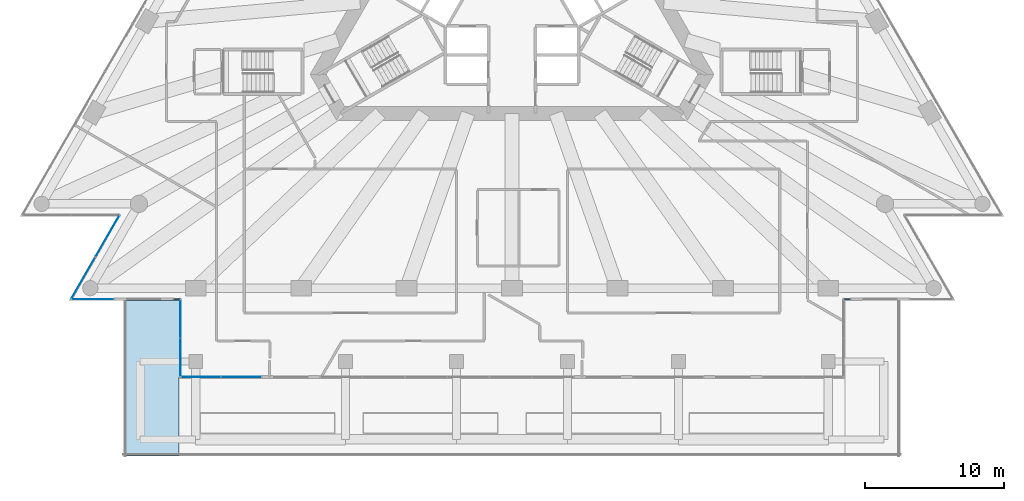
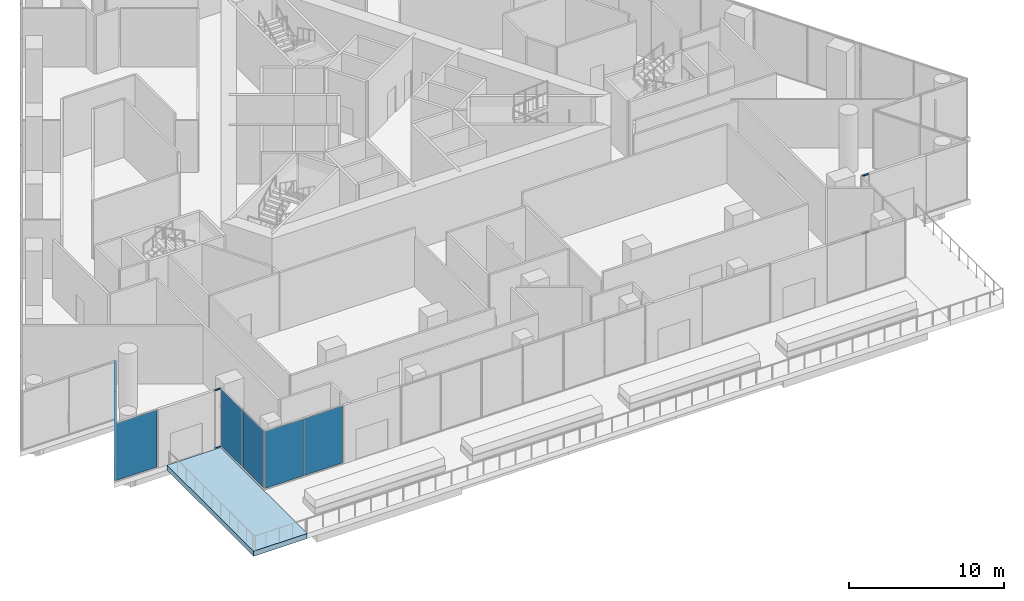
# One storey, part 20 of 32: 7 plates, 4 members, 1 slab, 6 elements without a shape of their own.
"""IFC4 building model written with IfcOpenShell, lengths in metres."""

from ifc_helpers import new_model, si_unit, direction, frame, origin, origin_2d, place, context, subcontext, project, spatial, polyline, rectangle, outline, extrude, material, layer, layer_set, layer_usage, material_profile, profile_set, type_object, element, aggregate, save


model = new_model("IFC4")

# Units and contexts
model_context = context("Model", 3, precision=1e-05, world=origin(), true_north=direction((0.0, 1.0)))
body_context = subcontext(model_context, "Body", "Model", "MODEL_VIEW")
ifc_project = project(units=[si_unit("LENGTHUNIT", "METRE"), si_unit("AREAUNIT", "SQUARE_METRE"), si_unit("VOLUMEUNIT", "CUBIC_METRE"), si_unit("PLANEANGLEUNIT", "RADIAN"), si_unit("MASSUNIT", "GRAM", prefix="KILO")], contexts=[model_context])

# Site, building, storey
site_placement = place(None, origin())
site = spatial("IfcSite", under=ifc_project, at=site_placement, CompositionType="ELEMENT")
building_placement = place(site_placement, origin())
building = spatial("IfcBuilding", under=site, at=building_placement, Name="Triada Interchange Tower", CompositionType="ELEMENT")
storey_placement = place(building_placement, frame((0.0, 0.0, 25.300048828125)))
storey = spatial("IfcBuildingStorey", under=building, at=storey_placement, Name="L04", CompositionType="ELEMENT", Elevation=25.300048828125)

# Curtain wall, members
ifc_material_1 = material(Name="Aluminium framed glazing", Category="aluminium")
ifc_layer_1 = layer(ifc_material_1, 0.199951171875)
ifc_layer_set_1 = layer_set([ifc_layer_1], Name="Curtain wall Winter garden glazing")
curtain_wall_type = type_object("IfcCurtainWallType", Name="Curtain wall Winter garden glazing", PredefinedType="NOTDEFINED", material=ifc_layer_set_1)
curtain_wall_1_placement = place(storey_placement, origin())
curtain_wall_1 = element("IfcCurtainWall", 1, at=curtain_wall_1_placement, inside=storey, type_object=curtain_wall_type, Name="Winter garden glazing CW008 L04", PredefinedType="NOTDEFINED")
ifc_material_2 = material(Name="Aluminium", Category="aluminium")
ifc_material_profile = material_profile(ifc_material_2, rectangle(XDim=0.10009765625, YDim=0.050048828125, at=origin_2d()), Name="Aluminium transom")
ifc_profile_set = profile_set([ifc_material_profile], Name="Aluminium")
member_type = type_object("IfcMemberType", Name="Transom Winter garden glazing 100x50", PredefinedType="USERDEFINED", material=ifc_profile_set)
member_1_placement = place(storey_placement, frame((23.949951171875, -22.39990234375, 0.02490234375), z_axis=(1.0, 0.0, 0.0), x_axis=(0.0, 1.0, 0.0)))
member_1 = element("IfcMember", 2, at=member_1_placement, type_object=member_type, Name="CW008 transom 1.1", ObjectType="TRANSOM", PredefinedType="USERDEFINED", context=body_context, shape_type="SweptSolid", body=[
    extrude(rectangle(XDim=0.10009765625, YDim=0.050048828125, at=origin_2d()), origin(), (0.0, 0.0, 1.0), 0.442138671875),
])
member_2_placement = place(storey_placement, frame((23.949951171875, -22.39990234375, 4.574951171875), z_axis=(1.0, 0.0, 0.0), x_axis=(0.0, 1.0, 0.0)))
member_2 = element("IfcMember", 3, at=member_2_placement, type_object=member_type, Name="CW008 transom 1.2", ObjectType="TRANSOM", PredefinedType="USERDEFINED", context=body_context, shape_type="SweptSolid", body=[
    extrude(rectangle(XDim=0.10009765625, YDim=0.050048828125, at=origin_2d()), origin(), (0.0, 0.0, 1.0), 0.442138671875),
])
aggregate(curtain_wall_1, [member_1, member_2])

curtain_wall_2_placement = place(storey_placement, origin())
curtain_wall_2 = element("IfcCurtainWall", 4, at=curtain_wall_2_placement, inside=storey, type_object=curtain_wall_type, Name="Winter garden glazing CW033 L04", PredefinedType="NOTDEFINED")
member_3_placement = place(storey_placement, frame((-24.39111328125, -22.39990234375, 0.02490234375), z_axis=(1.0, 0.0, 0.0), x_axis=(0.0, 1.0, 0.0)))
member_3 = element("IfcMember", 5, at=member_3_placement, type_object=member_type, Name="CW033 transom 1.1", ObjectType="TRANSOM", PredefinedType="USERDEFINED", context=body_context, shape_type="SweptSolid", body=[
    extrude(rectangle(XDim=0.10009765625, YDim=0.050048828125, at=origin_2d()), origin(), (0.0, 0.0, 1.0), 0.441162109375),
])
member_4_placement = place(storey_placement, frame((-24.39111328125, -22.39990234375, 4.574951171875), z_axis=(1.0, 0.0, 0.0), x_axis=(0.0, 1.0, 0.0)))
member_4 = element("IfcMember", 6, at=member_4_placement, type_object=member_type, Name="CW033 transom 1.2", ObjectType="TRANSOM", PredefinedType="USERDEFINED", context=body_context, shape_type="SweptSolid", body=[
    extrude(rectangle(XDim=0.10009765625, YDim=0.050048828125, at=origin_2d()), origin(), (0.0, 0.0, 1.0), 0.441162109375),
])
aggregate(curtain_wall_2, [member_3, member_4])

# Curtain wall, plates
curtain_wall_3_placement = place(storey_placement, origin())
curtain_wall_3 = element("IfcCurtainWall", 7, at=curtain_wall_3_placement, inside=storey, type_object=curtain_wall_type, Name="Winter garden glazing CW001 L04", PredefinedType="NOTDEFINED")
ifc_material_3 = material(Name="Insulated glazing unit", Category="glass")
ifc_layer_2 = layer(ifc_material_3, 0.02392578125)
ifc_layer_set_2 = layer_set([ifc_layer_2], Name="Glazing panel Winter garden glazing 24")
plate_type = type_object("IfcPlateType", Name="Glazing panel Winter garden glazing 24", PredefinedType="CURTAIN_PANEL", material=ifc_layer_set_2)
plate_1_placement = place(storey_placement, frame((-22.420654296875, -28.0, 0.050048828125), z_axis=(0.0, 0.0, 1.0), x_axis=(1.0, 0.0, 0.0)))
plate_1 = element("IfcPlate", 8, at=plate_1_placement, type_object=plate_type, Name="CW001 panel 1.1", PredefinedType="CURTAIN_PANEL", context=body_context, shape_type="SweptSolid", body=[
    extrude(rectangle(XDim=2.8583984375, YDim=0.02392578125, at=origin_2d()), origin(), (0.0, 0.0, 1.0), 4.5),
])
plate_2_placement = place(storey_placement, frame((-19.51220703125, -28.0, 0.050048828125), z_axis=(0.0, 0.0, 1.0), x_axis=(1.0, 0.0, 0.0)))
plate_2 = element("IfcPlate", 9, at=plate_2_placement, type_object=plate_type, Name="CW001 panel 2.1", PredefinedType="CURTAIN_PANEL", context=body_context, shape_type="SweptSolid", body=[
    extrude(rectangle(XDim=2.8583984375, YDim=0.02392578125, at=origin_2d()), origin(), (0.0, 0.0, 1.0), 4.5),
])
aggregate(curtain_wall_3, [plate_1, plate_2])

curtain_wall_4_placement = place(storey_placement, origin())
curtain_wall_4 = element("IfcCurtainWall", 10, at=curtain_wall_4_placement, inside=storey, type_object=curtain_wall_type, Name="Winter garden glazing CW031 L04", PredefinedType="NOTDEFINED")
plate_3_placement = place(storey_placement, frame((-29.158935546875, -17.8544921875, 0.050048828125), z_axis=(0.0, 0.0, 1.0), x_axis=(-0.499956922962, -0.866050272896, 0.0)))
plate_3 = element("IfcPlate", 11, at=plate_3_placement, type_object=plate_type, Name="CW031 panel 1.1", PredefinedType="CURTAIN_PANEL", context=body_context, shape_type="SweptSolid", body=[
    extrude(rectangle(XDim=3.432373046875, YDim=0.02392578125, at=origin_2d()), origin(), (0.0, 0.0, 1.0), 4.5),
])
plate_4_placement = place(storey_placement, frame((-30.89990234375, -20.870361328125, 0.050048828125), z_axis=(0.0, 0.0, 1.0), x_axis=(-0.499956922962, -0.866050272896, 0.0)))
plate_4 = element("IfcPlate", 12, at=plate_4_placement, type_object=plate_type, Name="CW031 panel 2.1", PredefinedType="CURTAIN_PANEL", context=body_context, shape_type="SweptSolid", body=[
    extrude(rectangle(XDim=3.432373046875, YDim=0.02392578125, at=origin_2d()), origin(), (0.0, 0.0, 1.0), 4.5),
])
aggregate(curtain_wall_4, [plate_3, plate_4])

# Curtain wall, plate
curtain_wall_5_placement = place(storey_placement, origin())
curtain_wall_5 = element("IfcCurtainWall", 13, at=curtain_wall_5_placement, inside=storey, type_object=curtain_wall_type, Name="Winter garden glazing CW032 L04", PredefinedType="NOTDEFINED")
plate_5_placement = place(storey_placement, frame((-30.2119140625, -22.39990234375, 0.050048828125), z_axis=(0.0, 0.0, 1.0), x_axis=(1.0, 0.0, 0.0)))
plate_5 = element("IfcPlate", 14, at=plate_5_placement, type_object=plate_type, Name="CW032 panel 1.1", PredefinedType="CURTAIN_PANEL", context=body_context, shape_type="SweptSolid", body=[
    extrude(rectangle(XDim=3.0419921875, YDim=0.02392578125, at=origin_2d()), origin(), (0.0, 0.0, 1.0), 4.5),
])
aggregate(curtain_wall_5, [plate_5])

# Curtain wall, plates
curtain_wall_6_placement = place(storey_placement, origin())
curtain_wall_6 = element("IfcCurtainWall", 15, at=curtain_wall_6_placement, inside=storey, type_object=curtain_wall_type, Name="Winter garden glazing CW034 L04", PredefinedType="NOTDEFINED")
plate_6_placement = place(storey_placement, frame((-23.89990234375, -23.8125, 0.050048828125), z_axis=(0.0, 0.0, 1.0), x_axis=(0.0, -1.0, 0.0)))
plate_6 = element("IfcPlate", 16, at=plate_6_placement, type_object=plate_type, Name="CW034 panel 1.1", PredefinedType="CURTAIN_PANEL", context=body_context, shape_type="SweptSolid", body=[
    extrude(rectangle(XDim=2.72509765625, YDim=0.02392578125, at=origin_2d()), origin(), (0.0, 0.0, 1.0), 4.5),
])
plate_7_placement = place(storey_placement, frame((-23.89990234375, -26.58740234375, 0.050048828125), z_axis=(0.0, 0.0, 1.0), x_axis=(0.0, -1.0, 0.0)))
plate_7 = element("IfcPlate", 17, at=plate_7_placement, type_object=plate_type, Name="CW034 panel 2.1", PredefinedType="CURTAIN_PANEL", context=body_context, shape_type="SweptSolid", body=[
    extrude(rectangle(XDim=2.72509765625, YDim=0.02392578125, at=origin_2d()), origin(), (0.0, 0.0, 1.0), 4.5),
])
aggregate(curtain_wall_6, [plate_6, plate_7])

# Slab
ifc_material_4 = material(Name="Concrete C30/37 paving slab", Category="concrete")
ifc_layer_3 = layer(ifc_material_4, 0.0400390625, Name="Paving slab")
ifc_material_5 = material(Name="Drainage mat")
ifc_layer_4 = layer(ifc_material_5, 0.02490234375, Name="Drainage layer")
ifc_material_6 = material(Name="Bituminous membrane")
ifc_layer_5 = layer(ifc_material_6, 0.0048828125, Name="Waterproof membrane")
ifc_material_7 = material(Name="Mineral wool")
ifc_layer_6 = layer(ifc_material_7, 0.080078125, Name="Thermal insulation")
ifc_material_8 = material(Name="Screed CT-C25-F4")
ifc_layer_7 = layer(ifc_material_8, 0.050048828125, Name="Screed to falls")
ifc_material_9 = material(Name="Concrete C40/50", Category="concrete")
ifc_layer_8 = layer(ifc_material_9, 0.199951171875, Name="Reinforced concrete slab")
ifc_layer_set_3 = layer_set([ifc_layer_3, ifc_layer_4, ifc_layer_5, ifc_layer_6, ifc_layer_7, ifc_layer_8], Name="Terrace slab 400")
ifc_layer_usage = layer_usage(ifc_layer_set_3, "AXIS3", "POSITIVE", 0.0)
slab_type = type_object("IfcSlabType", Name="Terrace slab 400", PredefinedType="FLOOR", material=ifc_layer_set_3)
slab_placement = place(storey_placement, frame((0.0, 0.0, -0.400146484375)))
element("IfcSlab", 18, at=slab_placement, inside=storey, type_object=slab_type, material=ifc_layer_usage, Name="Terrace slab L04 1", PredefinedType="FLOOR", context=body_context, shape_type="SweptSolid", body=[
    extrude(outline(polyline([(-28.0, -33.699951171875), (-24.0, -33.699951171875), (-24.0, -22.5), (-28.0, -22.5), (-28.0, -33.699951171875)])), origin(), (0.0, 0.0, 1.0), 0.400146484375),
])

save(model, "model.ifc")
